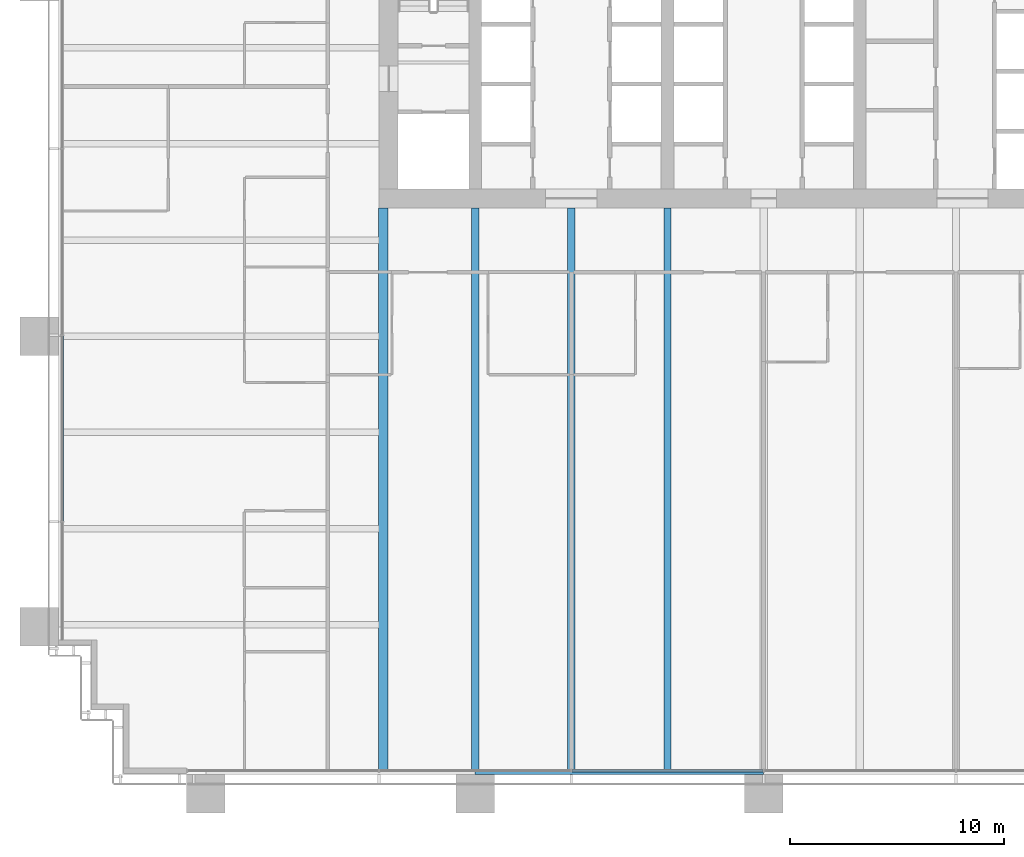
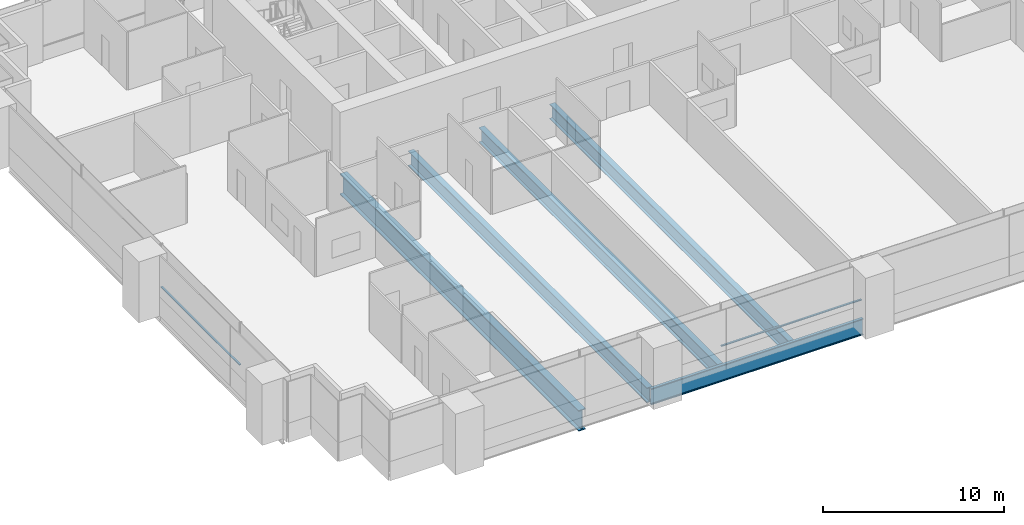
# One storey, part 3 of 20: 5 beams, 2 members, 2 elements without a shape of their own.
"""IFC4 building model written with IfcOpenShell, lengths in metres."""

from ifc_helpers import new_model, si_unit, direction, frame, origin, origin_2d, place, context, subcontext, project, spatial, rectangle, i_section, extrude, material, material_profile, profile_set, type_object, element, aggregate, save


model = new_model("IFC4")

# Units and contexts
model_context = context("Model", 3, precision=1e-05, world=origin(), true_north=direction((0.0, 1.0)))
body_context = subcontext(model_context, "Body", "Model", "MODEL_VIEW")
ifc_project = project(units=[si_unit("LENGTHUNIT", "METRE"), si_unit("AREAUNIT", "SQUARE_METRE"), si_unit("VOLUMEUNIT", "CUBIC_METRE"), si_unit("PLANEANGLEUNIT", "RADIAN"), si_unit("MASSUNIT", "GRAM", prefix="KILO")], contexts=[model_context])

# Site, building, storey
site_placement = place(None, origin())
site = spatial("IfcSite", under=ifc_project, at=site_placement, CompositionType="ELEMENT")
building_placement = place(site_placement, origin())
building = spatial("IfcBuilding", under=site, at=building_placement, Name="Rattan Terrace Tower", CompositionType="ELEMENT")
storey_placement = place(building_placement, frame((0.0, 0.0, 40.60009765625)))
storey = spatial("IfcBuildingStorey", under=building, at=storey_placement, Name="L08", CompositionType="ELEMENT", Elevation=40.60009765625)

# Curtain wall, member
ifc_material_1 = material(Name="Aluminium and glass", Category="aluminium")
curtain_wall_type = type_object("IfcCurtainWallType", Name="Facade Unitised Curtain Wall", PredefinedType="NOTDEFINED", material=ifc_material_1)
curtain_wall_1_placement = place(storey_placement, origin())
curtain_wall_1 = element("IfcCurtainWall", 1, at=curtain_wall_1_placement, inside=storey, type_object=curtain_wall_type, Name="Curtain wall L08-3", PredefinedType="NOTDEFINED")
ifc_material_2 = material(Name="Aluminium", Category="aluminium")
ifc_material_profile_1 = material_profile(ifc_material_2, rectangle(XDim=0.1201171875, YDim=0.06005859375, at=origin_2d()), Name="Aluminium 120x60")
ifc_profile_set_1 = profile_set([ifc_material_profile_1], Name="Aluminium")
member_type = type_object("IfcMemberType", Name="Facade CW Transom 120x60", PredefinedType="USERDEFINED", material=ifc_profile_set_1)
member_1_placement = place(storey_placement, frame((-32.830078125, -13.48388671875, 1.0), z_axis=(0.0, -1.0, 0.0), x_axis=(1.0, 0.0, 0.0)))
member_1 = element("IfcMember", 2, at=member_1_placement, type_object=member_type, Name="Transom cwl-L08-003.3", ObjectType="TRANSOM", PredefinedType="USERDEFINED", context=body_context, shape_type="SweptSolid", body=[
    extrude(rectangle(XDim=0.1201171875, YDim=0.06005859375, at=origin_2d()), origin(), (0.0, 0.0, 1.0), 8.6669921875),
])
aggregate(curtain_wall_1, [member_1])

curtain_wall_2_placement = place(storey_placement, origin())
curtain_wall_2 = element("IfcCurtainWall", 3, at=curtain_wall_2_placement, inside=storey, type_object=curtain_wall_type, Name="Curtain wall L08-4", PredefinedType="NOTDEFINED")
member_2_placement = place(storey_placement, frame((-8.969970703125, -33.830078125, 1.0), z_axis=(1.0, 0.0, 0.0), x_axis=(0.0, 1.0, 0.0)))
member_2 = element("IfcMember", 4, at=member_2_placement, type_object=member_type, Name="Transom cwl-L08-004.3", ObjectType="TRANSOM", PredefinedType="USERDEFINED", context=body_context, shape_type="SweptSolid", body=[
    extrude(rectangle(XDim=0.1201171875, YDim=0.06005859375, at=origin_2d()), origin(), (0.0, 0.0, 1.0), 8.93994140625),
])
aggregate(curtain_wall_2, [member_2])

# Beams
ifc_material_3 = material(Name="Steel S460", Category="steel")
ifc_material_profile_2 = material_profile(ifc_material_3, i_section(OverallWidth=0.449951171875, OverallDepth=1.39990234375, WebThickness=0.02197265625, FlangeThickness=0.054931640625, at=origin_2d()), Name="PG 1400x450-22-55")
ifc_profile_set_2 = profile_set([ifc_material_profile_2], Name="Steel S460")
beam_type_1 = type_object("IfcBeamType", Name="Frame core girder PG 1400x450-22-55", PredefinedType="BEAM", material=ifc_profile_set_2)
beam_1_placement = place(storey_placement, frame((-17.800048828125, -33.820068359375, -0.900146484375), z_axis=(0.0, 1.0, 0.0), x_axis=(-1.0, 0.0, 0.0)))
element("IfcBeam", 5, at=beam_1_placement, inside=storey, type_object=beam_type_1, Name="gdr-L08-013", PredefinedType="BEAM", context=body_context, shape_type="SweptSolid", body=[
    extrude(i_section(OverallWidth=0.449951171875, OverallDepth=1.39990234375, WebThickness=0.02197265625, FlangeThickness=0.054931640625, at=origin_2d()), origin(), (0.0, 0.0, 1.0), 26.320068359375),
])
ifc_material_4 = material(Name="Steel S460", Category="steel")
ifc_material_profile_3 = material_profile(ifc_material_4, i_section(OverallWidth=0.179931640625, OverallDepth=1.10009765625, WebThickness=0.01611328125, FlangeThickness=0.050048828125, at=origin_2d()), Name="PG 1100x180-16-50")
ifc_profile_set_3 = profile_set([ifc_material_profile_3], Name="Steel S460")
beam_type_2 = type_object("IfcBeamType", Name="Frame edge girder PG 1100x180-16-50", PredefinedType="SPANDREL", material=ifc_profile_set_3)
beam_2_placement = place(storey_placement, frame((-13.5, -33.909912109375, -0.75), z_axis=(1.0, 0.0, 0.0), x_axis=(0.0, 1.0, 0.0)))
element("IfcBeam", 6, at=beam_2_placement, inside=storey, type_object=beam_type_2, Name="gdr-L08-002", PredefinedType="SPANDREL", context=body_context, shape_type="SweptSolid", body=[
    extrude(i_section(OverallWidth=0.179931640625, OverallDepth=1.10009765625, WebThickness=0.01611328125, FlangeThickness=0.050048828125, at=origin_2d()), origin(), (0.0, 0.0, 1.0), 13.5),
])
ifc_material_5 = material(Name="Steel S460", Category="steel")
ifc_material_profile_4 = material_profile(ifc_material_5, i_section(OverallWidth=0.35009765625, OverallDepth=1.0, WebThickness=0.01611328125, FlangeThickness=0.044921875, at=origin_2d()), Name="PG 1000x350-16-45")
ifc_profile_set_4 = profile_set([ifc_material_profile_4], Name="Steel S460")
beam_type_3 = type_object("IfcBeamType", Name="Frame floor beam PG 1000x350-16-45", PredefinedType="JOIST", material=ifc_profile_set_4)
for number, where, z_axis, x_axis, name in (
    (7, (-13.5, -33.820068359375, -0.7001953125), (0.0, 1.0, 0.0), (-1.0, 0.0, 0.0), "bm-L08-003"),
    (8, (-9.0, -33.820068359375, -0.7001953125), (0.0, 1.0, 0.0), (-1.0, 0.0, 0.0), "bm-L08-004"),
    (9, (-4.5, -33.820068359375, -0.7001953125), (0.0, 1.0, 0.0), (-1.0, 0.0, 0.0), "bm-L08-005"),
):
    element("IfcBeam", number, at=place(storey_placement, frame(where, z_axis=z_axis, x_axis=x_axis)), inside=storey, type_object=beam_type_3, Name=name, PredefinedType="JOIST", context=body_context, shape_type="SweptSolid", body=[
        extrude(i_section(OverallWidth=0.35009765625, OverallDepth=1.0, WebThickness=0.01611328125, FlangeThickness=0.044921875, at=origin_2d()), origin(), (0.0, 0.0, 1.0), 26.320068359375),
    ])

save(model, "model.ifc")
